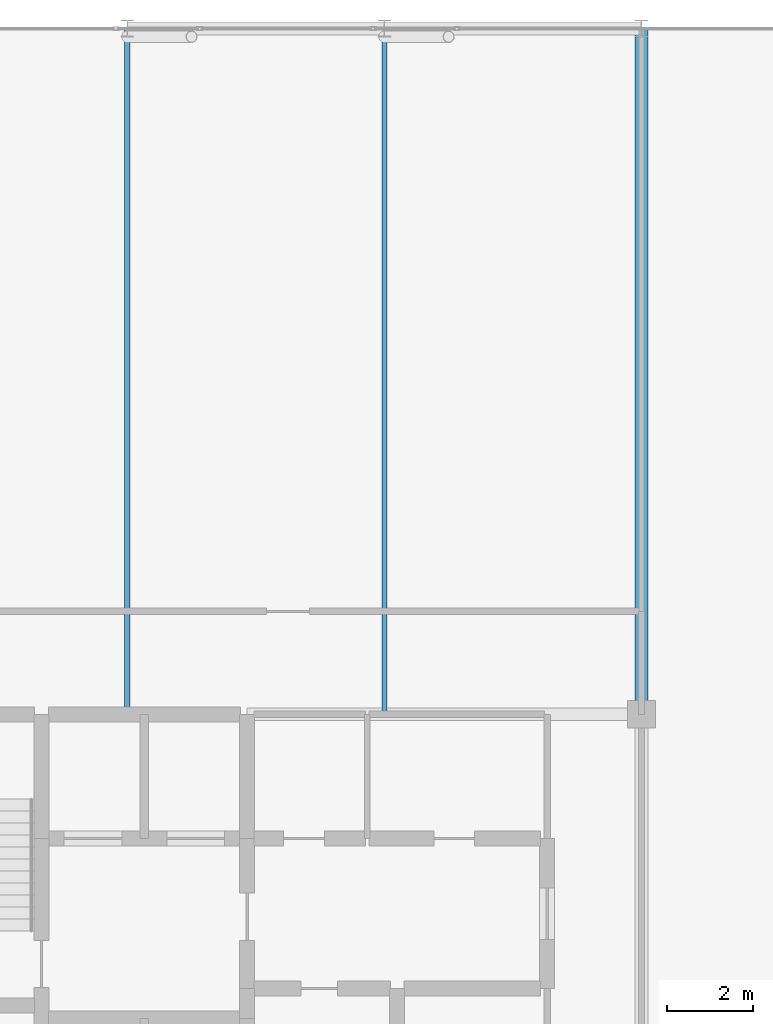
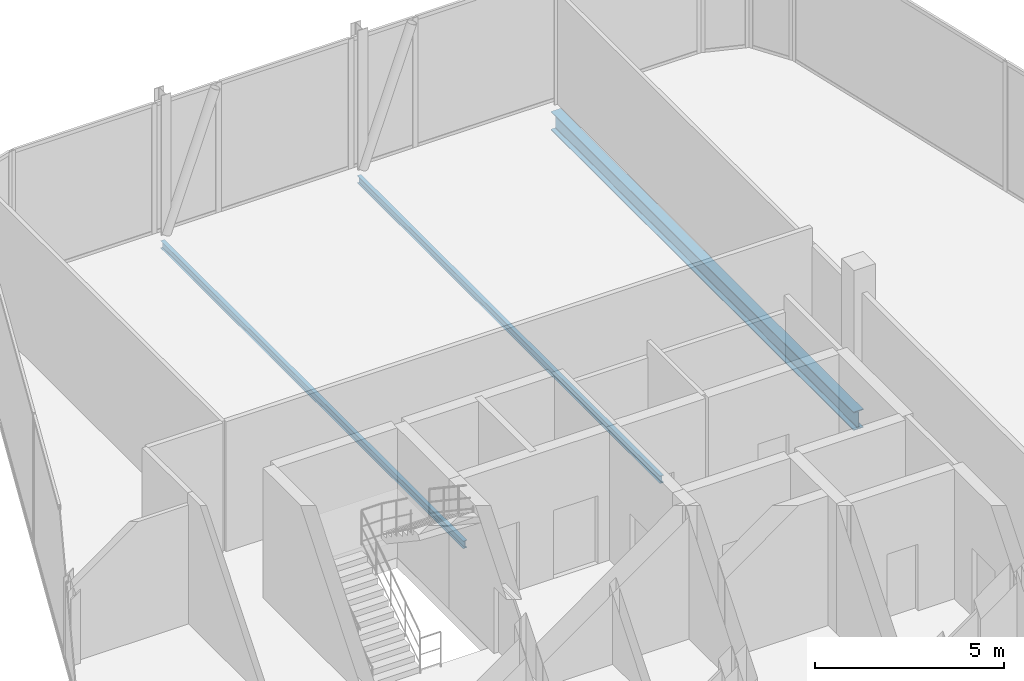
# One storey, part 15 of 24: 3 beams.
"""IFC4 building model written with IfcOpenShell, lengths in metres."""

import ifcopenshell
import ifcopenshell.guid

model = None  # the IFC model being written
_history = None  # IfcOwnerHistory: only IFC2X3 demands one
_inside = {}  # id of a spatial element -> (the spatial element, [elements in it])
_under = {}  # id of a project, library or spatial element -> (it, [spatial elements below it])
_declared = {}  # id of a project -> (the project, [libraries it declares])
_typed = {}  # id of a type object -> (the type object, [elements of that type])
_made_of = {}  # id of a material, layer set ... -> (it, [elements and type objects made of it])


def new_model(schema):
    """Start an empty IFC model of exactly this schema.

    Asked for "IFC4X3", IfcOpenShell would pick the latest addendum, in which some entities
    have other attributes; the version numbers below select the first issue.
    IFC2X3 requires an IfcOwnerHistory on every rooted entity: one is made here for all.
    """
    global model, _history
    if schema == "IFC4X3":
        model = ifcopenshell.file(schema_version=(4, 3, 0, 0))
    else:
        model = ifcopenshell.file(schema=schema)
    _inside.clear()
    _under.clear()
    _declared.clear()
    _typed.clear()
    _made_of.clear()
    _history = None
    if model.schema == "IFC2X3":
        org = make("IfcOrganization", Name="unknown")
        user = make(
            "IfcPersonAndOrganization",
            ThePerson=make("IfcPerson", FamilyName="unknown"),
            TheOrganization=org,
        )
        app = make(
            "IfcApplication",
            ApplicationDeveloper=org,
            Version="unknown",
            ApplicationFullName="unknown",
            ApplicationIdentifier="unknown",
        )
        _history = make(
            "IfcOwnerHistory",
            OwningUser=user,
            OwningApplication=app,
            ChangeAction="ADDED",
            CreationDate=0,
        )
    return model


def make(cls, **values):
    """One entity of the class cls with the attributes given. An attribute that is None is left unset."""
    return model.create_entity(
        cls, **{name: value for name, value in values.items() if value is not None}
    )


def rooted(cls, **values):
    """An entity with a GlobalId (a new one), such as an element, a storey or a relation."""
    return make(cls, GlobalId=ifcopenshell.guid.new(), OwnerHistory=_history, **values)


def si_unit(unit_type, name, prefix=None):
    """IfcSIUnit, for example si_unit("LENGTHUNIT", "METRE", prefix="MILLI")."""
    return make("IfcSIUnit", UnitType=unit_type, Prefix=prefix, Name=name)


def assignment(units):
    """IfcUnitAssignment: the units of a project."""
    return None if units is None else make("IfcUnitAssignment", Units=units)


def point(xyz):
    """IfcCartesianPoint."""
    return None if xyz is None else make("IfcCartesianPoint", Coordinates=xyz)


def direction(xyz):
    """IfcDirection."""
    return None if xyz is None else make("IfcDirection", DirectionRatios=xyz)


def frame(location, z_axis=None, x_axis=None):
    """IfcAxis2Placement3D, a coordinate frame: its origin and axes. An axis left out is left unset."""
    return make(
        "IfcAxis2Placement3D",
        Location=point(location),
        Axis=direction(z_axis),
        RefDirection=direction(x_axis),
    )


def frame_2d(location, x_axis=None):
    """IfcAxis2Placement2D, a coordinate frame in the plane: its origin and x axis."""
    return make(
        "IfcAxis2Placement2D", Location=point(location), RefDirection=direction(x_axis)
    )


def origin():
    """The frame at (0, 0, 0) with its axes left unset."""
    return frame((0.0, 0.0, 0.0))


def origin_2d():
    """The frame at (0, 0) in the plane with its x axis left unset."""
    return frame_2d((0.0, 0.0))


def place(relative_to, where):
    """IfcLocalPlacement: puts the frame where relative to a parent placement (None: the world)."""
    return make(
        "IfcLocalPlacement", PlacementRelTo=relative_to, RelativePlacement=where
    )


def context(
    kind, dimensions, precision=None, world=None, true_north=None, identifier=None
):
    """IfcGeometricRepresentationContext, for example the 3D "Model" context."""
    return make(
        "IfcGeometricRepresentationContext",
        ContextIdentifier=identifier,
        ContextType=kind,
        CoordinateSpaceDimension=dimensions,
        Precision=precision,
        WorldCoordinateSystem=world,
        TrueNorth=true_north,
    )


def subcontext(parent, identifier, kind, view, scale=None):
    """IfcGeometricRepresentationSubContext, for example "Body" below "Model"."""
    return make(
        "IfcGeometricRepresentationSubContext",
        ContextIdentifier=identifier,
        ContextType=kind,
        ParentContext=parent,
        TargetScale=scale,
        TargetView=view,
    )


def project(units=None, contexts=None):
    """IfcProject with its units and contexts."""
    return rooted(
        "IfcProject",
        Name="project",
        RepresentationContexts=contexts,
        UnitsInContext=assignment(units),
    )


def spatial(cls, under=None, at=None, **own):
    """A site, building, storey or space (cls), placed at a placement, below another one or the project."""
    s = rooted(cls, ObjectPlacement=at, **own)
    if under is not None:
        _under.setdefault(under.id(), (under, []))[1].append(s)
    return s


def profile(cls, at=None, kind="AREA", **sizes):
    """A parametric profile (cls). Its sizes go by their IFC names, for example OverallWidth=200.0."""
    return make(cls, ProfileType=kind, Position=at, **sizes)


def i_section(**sizes):
    """IfcIShapeProfileDef."""
    return profile("IfcIShapeProfileDef", **sizes)


def extrude(swept, where, along, depth):
    """IfcExtrudedAreaSolid: the profile swept, set in the frame where, extruded along a direction by depth."""
    return make(
        "IfcExtrudedAreaSolid",
        SweptArea=swept,
        Position=where,
        ExtrudedDirection=direction(along),
        Depth=depth,
    )


def shape(context_of_items, identifier, shape_type, items):
    """IfcShapeRepresentation: the items that make up one representation, for example the "Body"."""
    return make(
        "IfcShapeRepresentation",
        ContextOfItems=context_of_items,
        RepresentationIdentifier=identifier,
        RepresentationType=shape_type,
        Items=items,
    )


def material(Name=None, Category=None):
    """IfcMaterial."""
    return make("IfcMaterial", Name=Name, Category=Category)


def material_profile(
    of_material, cross_section, Name=None, Category=None, Priority=None
):
    """IfcMaterialProfile: a cross section and its material."""
    return make(
        "IfcMaterialProfile",
        Name=Name,
        Material=of_material,
        Profile=cross_section,
        Priority=Priority,
        Category=Category,
    )


def profile_set(profiles, Name=None, composite=None):
    """IfcMaterialProfileSet."""
    return make(
        "IfcMaterialProfileSet",
        Name=Name,
        MaterialProfiles=profiles,
        CompositeProfile=composite,
    )


def made_of(thing, what):
    """Note that an element or type object is made of a material, layer set ...; save() writes the relation."""
    if what is not None:
        _made_of.setdefault(what.id(), (what, []))[1].append(thing)
    return thing


def type_object(cls, material=None, **own):
    """A type object (cls), such as IfcWallType, which elements share."""
    return made_of(rooted(cls, **own), material)


def element(
    cls,
    number,
    at=None,
    inside=None,
    cuts=None,
    type_object=None,
    material=None,
    context=None,
    identifier="Body",
    shape_type=None,
    held_by="IfcProductDefinitionShape",
    body=None,
    shapes=None,
    **own,
):
    """One element of the class cls, such as IfcWall. Its Tag is "e" and its number.

    at: its placement. inside: the storey or other place that contains it. cuts: it is an
    opening in that element (IfcRelVoidsElement). A single representation is given by context,
    identifier, shape_type and body (its items); several are given by shapes. held_by: the class
    of the entity that holds the representations. save() writes the other relations.
    """
    e = rooted(cls, Tag="e%d" % number, ObjectPlacement=at, **own)
    if body is not None:
        shapes = [shape(context, identifier, shape_type, body)]
    if shapes is not None:
        e.Representation = make(held_by, Representations=shapes)
    if inside is not None:
        _inside.setdefault(inside.id(), (inside, []))[1].append(e)
    if cuts is not None:
        rooted(
            "IfcRelVoidsElement", RelatingBuildingElement=cuts, RelatedOpeningElement=e
        )
    if type_object is not None:
        _typed.setdefault(type_object.id(), (type_object, []))[1].append(e)
    return made_of(e, material)


def aggregate(whole, parts):
    """IfcRelAggregates: a whole, such as a stair, and the parts it consists of."""
    return rooted("IfcRelAggregates", RelatingObject=whole, RelatedObjects=parts)


def save(model, path):
    """Write the relations noted so far, then the file.

    IfcRelAggregates (storeys below a building ...), IfcRelContainedInSpatialStructure (elements
    in a storey), IfcRelDefinesByType, IfcRelAssociatesMaterial and IfcRelDeclares: one each for
    every whole, place, type object, material and project.
    """
    for whole, parts in _under.values():
        aggregate(whole, parts)
    for where, things in _inside.values():
        rooted(
            "IfcRelContainedInSpatialStructure",
            RelatedElements=things,
            RelatingStructure=where,
        )
    for kind, things in _typed.values():
        rooted("IfcRelDefinesByType", RelatedObjects=things, RelatingType=kind)
    for what, things in _made_of.values():
        rooted("IfcRelAssociatesMaterial", RelatedObjects=things, RelatingMaterial=what)
    for by, libraries in _declared.values():
        rooted("IfcRelDeclares", RelatingContext=by, RelatedDefinitions=libraries)
    model.write(path)


model = new_model("IFC4")

# Units and contexts
model_context = context("Model", 3, precision=1e-05, world=origin(), true_north=direction((0.0, 1.0)))
body_context = subcontext(model_context, "Body", "Model", "MODEL_VIEW")
ifc_project = project(units=[si_unit("LENGTHUNIT", "METRE"), si_unit("AREAUNIT", "SQUARE_METRE"), si_unit("VOLUMEUNIT", "CUBIC_METRE"), si_unit("PLANEANGLEUNIT", "RADIAN"), si_unit("MASSUNIT", "GRAM", prefix="KILO")], contexts=[model_context])

# Site, building, storey
site_placement = place(None, origin())
site = spatial("IfcSite", under=ifc_project, at=site_placement, CompositionType="ELEMENT")
building_placement = place(site_placement, origin())
building = spatial("IfcBuilding", under=site, at=building_placement, Name="Keshet Zoharim Tower", CompositionType="ELEMENT")
storey_placement = place(building_placement, frame((0.0, 0.0, 299.10009765625)))
storey = spatial("IfcBuildingStorey", under=building, at=storey_placement, Name="L75", CompositionType="ELEMENT", Elevation=299.10009765625)

# Beams
ifc_material = material(Name="Steel S355", Category="steel")
ifc_material_profile_1 = material_profile(ifc_material, i_section(OverallWidth=0.1201171875, OverallDepth=0.239990234375, WebThickness=0.006103515625, FlangeThickness=0.009765625, FilletRadius=0.014892578125, at=origin_2d()), Name="IPE240")
ifc_profile_set_1 = profile_set([ifc_material_profile_1], Name="Steel S355")
beam_type_1 = type_object("IfcBeamType", Name="BM-JST-IP240", PredefinedType="JOIST", material=ifc_profile_set_1)
for number, where, z_axis, x_axis, name in (
    (1, (21.0, 37.89990234375, -0.440185546875), (0.0, 1.0, 0.0), (-1.0, 0.0, 0.0), "L75 Secondary Floor Joist J-001"),
    (2, (27.0, 37.89990234375, -0.440185546875), (0.0, 1.0, 0.0), (-1.0, 0.0, 0.0), "L75 Secondary Floor Joist J-002"),
):
    element("IfcBeam", number, at=place(storey_placement, frame(where, z_axis=z_axis, x_axis=x_axis)), inside=storey, type_object=beam_type_1, Name=name, PredefinedType="JOIST", context=body_context, shape_type="SweptSolid", body=[
        extrude(i_section(OverallWidth=0.1201171875, OverallDepth=0.239990234375, WebThickness=0.006103515625, FlangeThickness=0.009765625, FilletRadius=0.014892578125, at=origin_2d()), origin(), (0.0, 0.0, 1.0), 16.0),
    ])
ifc_material_profile_2 = material_profile(ifc_material, i_section(OverallWidth=0.300048828125, OverallDepth=0.60009765625, WebThickness=0.015380859375, FlangeThickness=0.030029296875, FilletRadius=0.027099609375, at=origin_2d()), Name="HEB600")
ifc_profile_set_2 = profile_set([ifc_material_profile_2], Name="Steel S355")
beam_type_2 = type_object("IfcBeamType", Name="BM-LNG-HB600", PredefinedType="BEAM", material=ifc_profile_set_2)
beam_placement = place(storey_placement, frame((33.0, 37.89990234375, -0.6201171875), z_axis=(0.0, 1.0, 0.0), x_axis=(-1.0, 0.0, 0.0)))
element("IfcBeam", 3, at=beam_placement, inside=storey, type_object=beam_type_2, Name="L75 Primary Girder Y-008", PredefinedType="BEAM", context=body_context, shape_type="SweptSolid", body=[
    extrude(i_section(OverallWidth=0.300048828125, OverallDepth=0.60009765625, WebThickness=0.015380859375, FlangeThickness=0.030029296875, FilletRadius=0.027099609375, at=origin_2d()), origin(), (0.0, 0.0, 1.0), 16.0),
])

save(model, "model.ifc")
